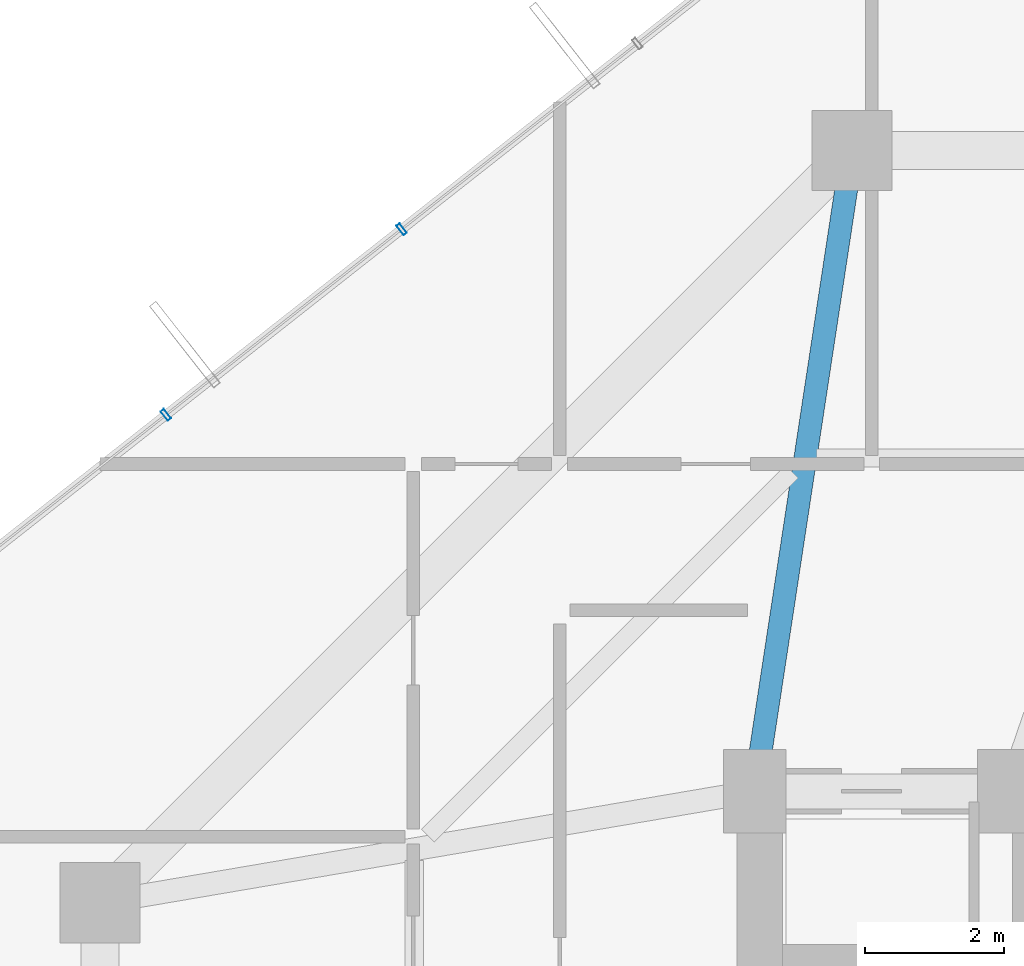
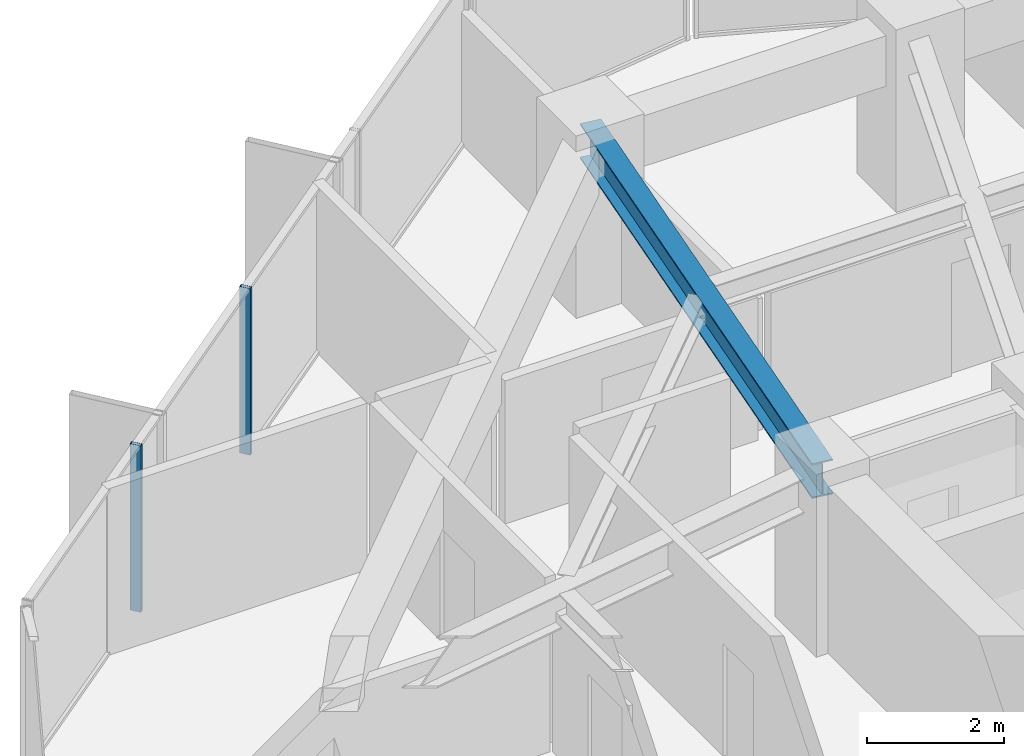
# One storey, part 20 of 34: 2 members, 1 beam, 1 element without a shape of its own.
"""IFC4 building model written with IfcOpenShell, lengths in metres."""

from ifc_helpers import new_model, si_unit, direction, frame, origin, origin_2d, place, context, subcontext, project, spatial, hollow_rectangle, i_section, extrude, source, transform, mapped, material, layer, layer_set, material_profile, profile_set, type_object, element, aggregate, save


model = new_model("IFC4")

# Units and contexts
model_context = context("Model", 3, precision=1e-05, world=origin(), true_north=direction((0.0, 1.0)))
body_context = subcontext(model_context, "Body", "Model", "MODEL_VIEW")
ifc_project = project(units=[si_unit("LENGTHUNIT", "METRE"), si_unit("AREAUNIT", "SQUARE_METRE"), si_unit("VOLUMEUNIT", "CUBIC_METRE"), si_unit("PLANEANGLEUNIT", "RADIAN"), si_unit("MASSUNIT", "GRAM", prefix="KILO")], contexts=[model_context])

# Site, building, storey
site_placement = place(None, origin())
site = spatial("IfcSite", under=ifc_project, at=site_placement, CompositionType="ELEMENT")
building_placement = place(site_placement, origin())
building = spatial("IfcBuilding", under=site, at=building_placement, Name="Veraguas Prism Commons", CompositionType="ELEMENT")
storey_placement = place(building_placement, frame((0.0, 0.0, 155.5)))
storey = spatial("IfcBuildingStorey", under=building, at=storey_placement, Name="L44", CompositionType="ELEMENT", Elevation=155.5)

# Beam
ifc_material_1 = material(Name="Steel ASTM A992 Grade 50", Category="steel")
ifc_material_profile_1 = material_profile(ifc_material_1, i_section(OverallWidth=0.327880859375, OverallDepth=0.6220703125, WebThickness=0.015380859375, FlangeThickness=0.0244140625, at=origin_2d()), Name="W610X195")
ifc_profile_set_1 = profile_set([ifc_material_profile_1], Name="Steel ASTM A992 Grade 50")
beam_type = type_object("IfcBeamType", Name="Zone 2 Radial Girder W610x195", PredefinedType="BEAM", material=ifc_profile_set_1)
beam_placement = place(storey_placement, frame((18.60009765625, 40.199951171875, 2.658935546875), z_axis=(-0.150458162136, -0.98861637729, 0.0), x_axis=(0.98861637729, -0.150458162136, 0.0)))
element("IfcBeam", 1, at=beam_placement, inside=storey, type_object=beam_type, Name="Radial Floor Girder L44-RD06", PredefinedType="BEAM", context=body_context, shape_type="SweptSolid", body=[
    extrude(i_section(OverallWidth=0.327880859375, OverallDepth=0.6220703125, WebThickness=0.015380859375, FlangeThickness=0.0244140625, at=origin_2d()), origin(), (0.0, 0.0, 1.0), 9.305908203125),
])

# Curtain wall, members
ifc_material_2 = material(Name="Anodised aluminium EN AW-6063 T6", Category="aluminium")
ifc_layer = layer(ifc_material_2, 0.169921875, Name="Unitised Flush Curtain Wall Zone 2", Category="aluminium")
ifc_layer_set = layer_set([ifc_layer], Name="Anodised aluminium EN AW-6063 T6")
curtain_wall_type = type_object("IfcCurtainWallType", Name="Unitised Flush Curtain Wall Zone 2", PredefinedType="NOTDEFINED", material=ifc_layer_set)
curtain_wall_placement = place(storey_placement, origin())
curtain_wall = element("IfcCurtainWall", 2, at=curtain_wall_placement, inside=storey, type_object=curtain_wall_type, Name="Tower Facade Curtain Wall L44-F2", PredefinedType="NOTDEFINED")
ifc_material_profile_2 = material_profile(ifc_material_2, hollow_rectangle(XDim=0.06005859375, YDim=0.169921875, WallThickness=0.00390625, at=origin_2d()), Name="AL60X170X4")
ifc_profile_set_2 = profile_set([ifc_material_profile_2], Name="Anodised aluminium EN AW-6063 T6")
member_type = type_object("IfcMemberType", Name="Curtain Wall Mullion Lower AL 60x170x4", PredefinedType="MULLION", material=ifc_profile_set_2)
shared_shape = source(origin(), body_context, "Body", "SweptSolid", [
    extrude(hollow_rectangle(XDim=0.06005859375, YDim=0.169921875, WallThickness=0.00390625, at=origin_2d()), origin(), (0.0, 0.0, 1.0), 2.969970703125),
])
member_1_placement = place(storey_placement, frame((12.132080078125, 39.070556640625, 0.0), z_axis=(0.0, 0.0, 1.0), x_axis=(-0.785639900244, -0.618684044682, 0.0)))
member_1 = element("IfcMember", 3, at=member_1_placement, type_object=member_type, Name="CW-Z2 Mullion 3", PredefinedType="MULLION", context=body_context, shape_type="MappedRepresentation", body=[
    mapped(shared_shape, transform((0.0, 0.0, 0.0), scale=1.0)),
])
member_2_placement = place(storey_placement, frame((8.7470703125, 36.40478515625, 0.0), z_axis=(0.0, 0.0, 1.0), x_axis=(-0.785639900244, -0.618684044682, 0.0)))
member_2 = element("IfcMember", 4, at=member_2_placement, type_object=member_type, Name="CW-Z2 Mullion 4", PredefinedType="MULLION", context=body_context, shape_type="MappedRepresentation", body=[
    mapped(shared_shape, transform((0.0, 0.0, 0.0), scale=1.0)),
])
aggregate(curtain_wall, [member_1, member_2])

save(model, "model.ifc")
